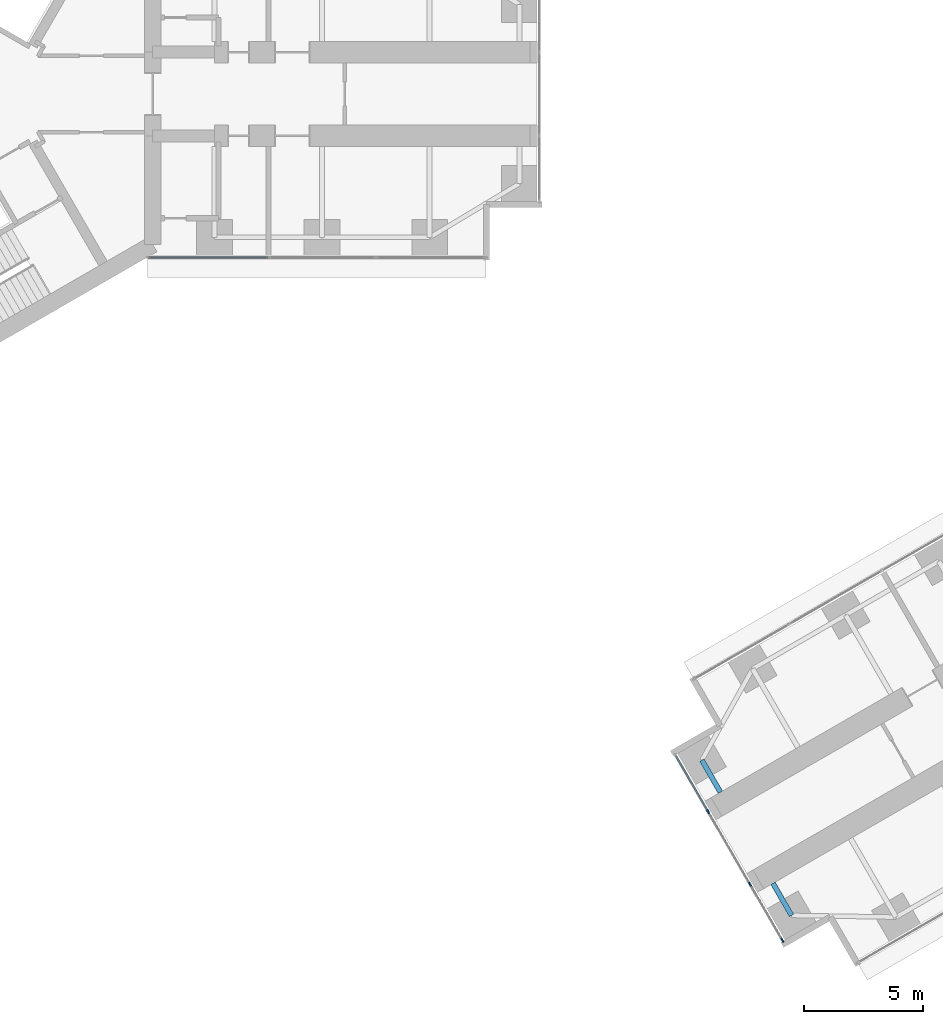
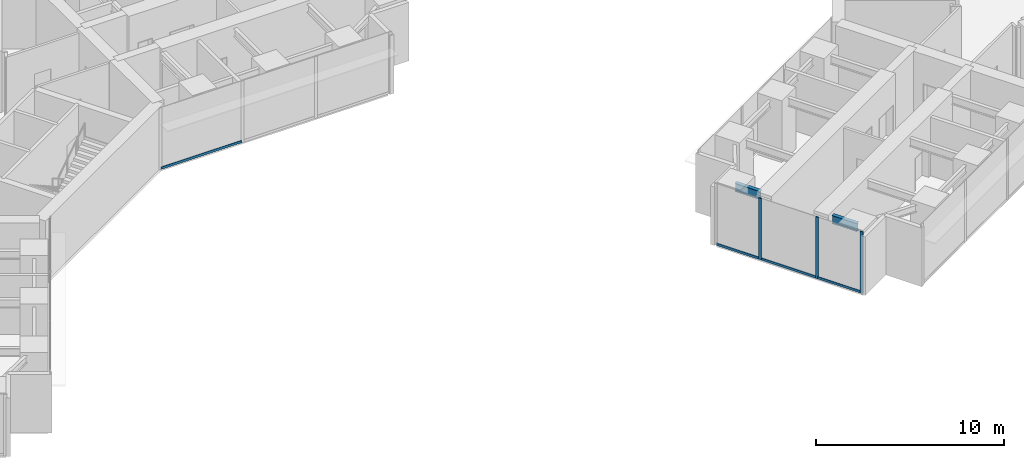
# One storey, part 3 of 23: 7 members, 2 beams, 2 elements without a shape of their own.
"""IFC4 building model written with IfcOpenShell, lengths in metres."""

from ifc_helpers import new_model, si_unit, direction, frame, origin, origin_2d, place, context, subcontext, project, spatial, rectangle, i_section, extrude, material, material_profile, profile_set, type_object, element, aggregate, save


model = new_model("IFC4")

# Units and contexts
model_context = context("Model", 3, precision=1e-05, world=origin(), true_north=direction((0.0, 1.0)))
body_context = subcontext(model_context, "Body", "Model", "MODEL_VIEW")
ifc_project = project(units=[si_unit("LENGTHUNIT", "METRE"), si_unit("AREAUNIT", "SQUARE_METRE"), si_unit("VOLUMEUNIT", "CUBIC_METRE"), si_unit("PLANEANGLEUNIT", "RADIAN"), si_unit("MASSUNIT", "GRAM", prefix="KILO")], contexts=[model_context])

# Site, building, storey
site_placement = place(None, origin())
site = spatial("IfcSite", under=ifc_project, at=site_placement, CompositionType="ELEMENT")
building_placement = place(site_placement, origin())
building = spatial("IfcBuilding", under=site, at=building_placement, Name="Upepo Twin Towers", CompositionType="ELEMENT")
storey_placement = place(building_placement, frame((0.0, 0.0, 32.5)))
storey = spatial("IfcBuildingStorey", under=building, at=storey_placement, Name="L07", CompositionType="ELEMENT", Elevation=32.5)

# Beams
ifc_material_1 = material(Name="Steel S355", Category="steel")
ifc_material_profile_1 = material_profile(ifc_material_1, i_section(OverallWidth=0.2099609375, OverallDepth=0.53662109375, WebThickness=0.0107421875, FlangeThickness=0.017333984375, FilletRadius=0.0126953125, at=origin_2d()), Name="UB 533x210x101")
ifc_profile_set_1 = profile_set([ifc_material_profile_1], Name="Steel S355")
beam_type = type_object("IfcBeamType", Name="Beam UB 533x210x101", PredefinedType="BEAM", material=ifc_profile_set_1)
for number, where, z_axis, x_axis, name in (
    (1, (37.641845703125, -34.37255859375, 3.53173828125), (-0.499967891604, 0.866043940782, 0.0), (-0.866043940782, -0.499967891604, 0.0), "T2 nose beam BL"),
    (2, (33.891845703125, -27.87744140625, 3.53173828125), (0.499967891604, -0.866043940782, 0.0), (0.866043940782, 0.499967891604, 0.0), "T2 nose beam BR"),
):
    element("IfcBeam", number, at=place(storey_placement, frame(where, z_axis=z_axis, x_axis=x_axis)), inside=storey, type_object=beam_type, Name=name, PredefinedType="BEAM", context=body_context, shape_type="SweptSolid", body=[
        extrude(i_section(OverallWidth=0.2099609375, OverallDepth=0.53662109375, WebThickness=0.0107421875, FlangeThickness=0.017333984375, FilletRadius=0.0126953125, at=origin_2d()), origin(), (0.0, 0.0, 1.0), 1.5498046875),
    ])

# Curtain wall, members
ifc_material_2 = material(Name="Aluminium and fritted glass", Category="aluminium")
curtain_wall_type = type_object("IfcCurtainWallType", Name="Tower curtain wall TW1, fritted glass", PredefinedType="NOTDEFINED", material=ifc_material_2)
curtain_wall_1_placement = place(storey_placement, origin())
curtain_wall_1 = element("IfcCurtainWall", 3, at=curtain_wall_1_placement, inside=storey, type_object=curtain_wall_type, Name="T2 L07 wing B nose curtain wall", PredefinedType="NOTDEFINED")
ifc_material_3 = material(Name="Aluminium mullion", Category="aluminium")
ifc_material_profile_2 = material_profile(ifc_material_3, rectangle(XDim=0.06494140625, YDim=0.179931640625, at=origin_2d()), Name="MULLION 65x180")
ifc_profile_set_2 = profile_set([ifc_material_profile_2], Name="Aluminium mullion")
member_type_1 = type_object("IfcMemberType", Name="Mullion 65x180 TW1", PredefinedType="MULLION", material=ifc_profile_set_2)
member_1_placement = place(storey_placement, frame((34.15576171875, -30.034423828125, 0.0), z_axis=(0.0, 0.0, 1.0), x_axis=(0.866025386174, 0.500000030502, 0.0)))
member_1 = element("IfcMember", 4, at=member_1_placement, type_object=member_type_1, Name="T2 L07 wing B nose curtain wall mullion 2", PredefinedType="MULLION", context=body_context, shape_type="SweptSolid", body=[
    extrude(rectangle(XDim=0.06494140625, YDim=0.179931640625, at=origin_2d()), origin(), (0.0, 0.0, 1.0), 4.0),
])
member_2_placement = place(storey_placement, frame((35.90576171875, -33.0654296875, 0.0), z_axis=(0.0, 0.0, 1.0), x_axis=(0.866025386174, 0.500000030502, 0.0)))
member_2 = element("IfcMember", 5, at=member_2_placement, type_object=member_type_1, Name="T2 L07 wing B nose curtain wall mullion 3", PredefinedType="MULLION", context=body_context, shape_type="SweptSolid", body=[
    extrude(rectangle(XDim=0.06494140625, YDim=0.179931640625, at=origin_2d()), origin(), (0.0, 0.0, 1.0), 4.0),
])
member_3_placement = place(storey_placement, frame((37.264404296875, -35.4189453125, 0.0), z_axis=(0.0, 0.0, 1.0), x_axis=(0.866025386174, 0.500000030502, 0.0)))
member_3 = element("IfcMember", 6, at=member_3_placement, type_object=member_type_1, Name="T2 L07 wing B nose curtain wall mullion 4", PredefinedType="MULLION", context=body_context, shape_type="SweptSolid", body=[
    extrude(rectangle(XDim=0.06494140625, YDim=0.179931640625, at=origin_2d()), origin(), (0.0, 0.0, 1.0), 4.0),
])

# Curtain wall, member
curtain_wall_2_placement = place(storey_placement, origin())
curtain_wall_2 = element("IfcCurtainWall", 7, at=curtain_wall_2_placement, inside=storey, type_object=curtain_wall_type, Name="T1 L07 wing A flank R curtain wall", PredefinedType="NOTDEFINED")
ifc_material_4 = material(Name="Aluminium transom", Category="aluminium")
ifc_material_profile_3 = material_profile(ifc_material_4, rectangle(XDim=0.06494140625, YDim=0.14990234375, at=origin_2d()), Name="TRANSOM 65x150")
ifc_profile_set_3 = profile_set([ifc_material_profile_3], Name="Aluminium transom")
member_type_2 = type_object("IfcMemberType", Name="Transom 65x150 TW1", PredefinedType="USERDEFINED", material=ifc_profile_set_3)
member_4_placement = place(storey_placement, frame((15.717529296875, -6.85009765625, 0.074951171875), z_axis=(-1.0, 0.0, 0.0), x_axis=(0.0, -1.0, 0.0)))
member_4 = element("IfcMember", 8, at=member_4_placement, type_object=member_type_2, Name="T1 L07 wing A flank R curtain wall transom 3", ObjectType="TRANSOM", PredefinedType="USERDEFINED", context=body_context, shape_type="SweptSolid", body=[
    extrude(rectangle(XDim=0.06494140625, YDim=0.14990234375, at=origin_2d()), origin(), (0.0, 0.0, 1.0), 4.96533203125),
])
aggregate(curtain_wall_2, [member_4])

# Member
member_5_placement = place(storey_placement, frame((32.813232421875, -27.709228515625, 0.074951171875), z_axis=(0.499980071345, -0.866036909293, 0.0), x_axis=(0.866036909293, 0.499980071345, 0.0)))
member_5 = element("IfcMember", 9, at=member_5_placement, type_object=member_type_2, Name="T2 L07 wing B nose curtain wall transom 1", ObjectType="TRANSOM", PredefinedType="USERDEFINED", context=body_context, shape_type="SweptSolid", body=[
    extrude(rectangle(XDim=0.06494140625, YDim=0.14990234375, at=origin_2d()), origin(), (0.0, 0.0, 1.0), 2.65234375),
])

member_6_placement = place(storey_placement, frame((34.171875, -30.0625, 0.074951171875), z_axis=(0.499999305434, -0.866025804792, 0.0), x_axis=(0.866025804792, 0.499999305434, 0.0)))
member_6 = element("IfcMember", 10, at=member_6_placement, type_object=member_type_2, Name="T2 L07 wing B nose curtain wall transom 2", ObjectType="TRANSOM", PredefinedType="USERDEFINED", context=body_context, shape_type="SweptSolid", body=[
    extrude(rectangle(XDim=0.06494140625, YDim=0.14990234375, at=origin_2d()), origin(), (0.0, 0.0, 1.0), 3.43505859375),
])

member_7_placement = place(storey_placement, frame((35.921875, -33.09375, 0.074951171875), z_axis=(0.500049101008, -0.865997053448, 0.0), x_axis=(0.865997053448, 0.500049101008, 0.0)))
member_7 = element("IfcMember", 11, at=member_7_placement, type_object=member_type_2, Name="T2 L07 wing B nose curtain wall transom 3", ObjectType="TRANSOM", PredefinedType="USERDEFINED", context=body_context, shape_type="SweptSolid", body=[
    extrude(rectangle(XDim=0.06494140625, YDim=0.14990234375, at=origin_2d()), origin(), (0.0, 0.0, 1.0), 2.652587890625),
])

aggregate(curtain_wall_1, [member_1, member_2, member_3, member_5, member_6, member_7])

save(model, "model.ifc")
